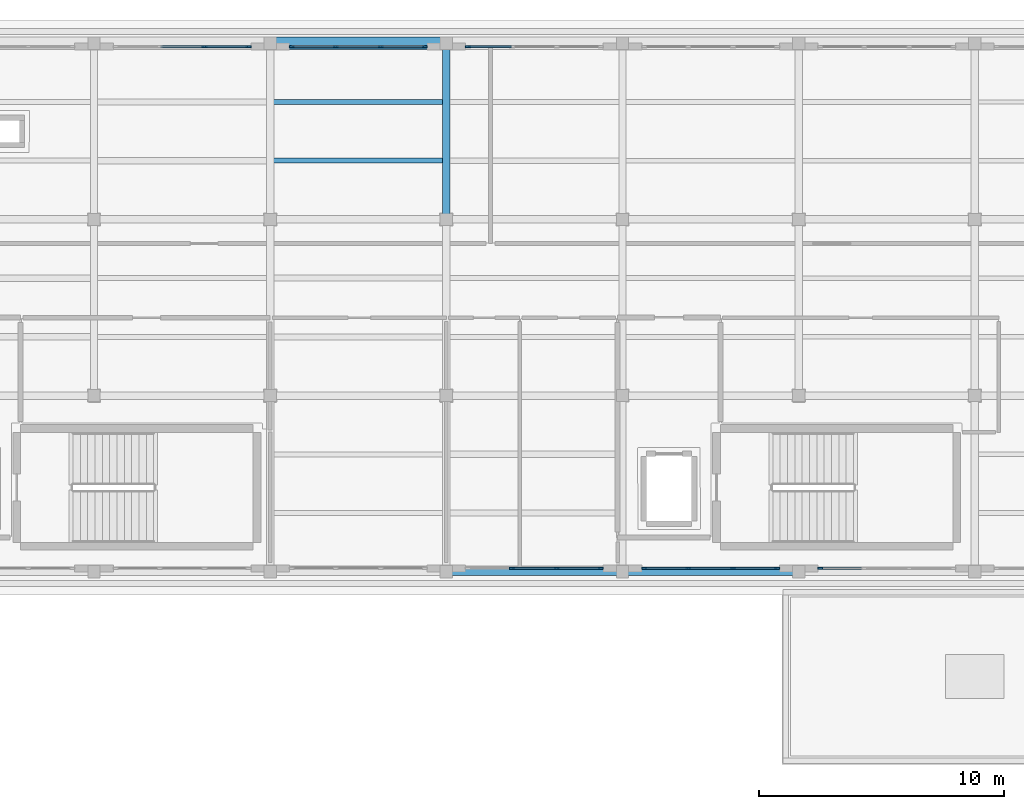
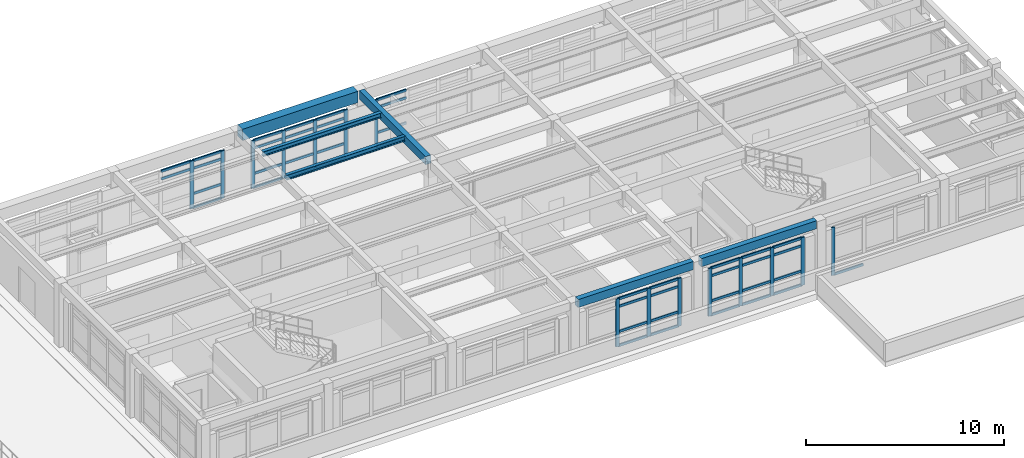
# One storey, part 4 of 15: 58 members, 6 beams, 6 elements without a shape of their own.
"""IFC4 building model written with IfcOpenShell, lengths in metres."""

from ifc_helpers import new_model, si_unit, direction, frame, origin, origin_2d, place, context, subcontext, project, spatial, rectangle, i_section, extrude, material, layer, layer_set, material_profile, profile_set, type_object, element, aggregate, save


model = new_model("IFC4")

# Units and contexts
model_context = context("Model", 3, precision=1e-05, world=origin(), true_north=direction((0.0, 1.0)))
body_context = subcontext(model_context, "Body", "Model", "MODEL_VIEW")
ifc_project = project(units=[si_unit("LENGTHUNIT", "METRE"), si_unit("AREAUNIT", "SQUARE_METRE"), si_unit("VOLUMEUNIT", "CUBIC_METRE"), si_unit("PLANEANGLEUNIT", "RADIAN"), si_unit("MASSUNIT", "GRAM", prefix="KILO")], contexts=[model_context])

# Site, building, storey
site_placement = place(None, origin())
site = spatial("IfcSite", under=ifc_project, at=site_placement, CompositionType="ELEMENT")
building_placement = place(site_placement, origin())
building = spatial("IfcBuilding", under=site, at=building_placement, Name="Solenvale Faculty of Natural Sciences", CompositionType="ELEMENT")
storey_placement = place(building_placement, frame((0.0, 0.0, 48.0)))
storey = spatial("IfcBuildingStorey", under=building, at=storey_placement, Name="L11", CompositionType="ELEMENT", Elevation=48.0)

# Beams
ifc_material_1 = material(Name="Concrete 40 MPa", Category="concrete")
ifc_material_profile_1 = material_profile(ifc_material_1, rectangle(XDim=0.300048828125, YDim=0.5, at=origin_2d()), Name="RC-BM-300x500")
ifc_profile_set_1 = profile_set([ifc_material_profile_1], Name="Concrete 40 MPa")
beam_type_1 = type_object("IfcBeamType", Name="BM-RC-300x500", PredefinedType="BEAM", material=ifc_profile_set_1)
beam_1_placement = place(storey_placement, frame((122.6298828125, 93.60009765625, 3.669921875), z_axis=(1.0, 0.0, 0.0), x_axis=(0.0, 1.0, 0.0)))
element("IfcBeam", 1, at=beam_1_placement, inside=storey, type_object=beam_type_1, Name="L11 X-Girder Y93.6 (122.4..129.6)", PredefinedType="BEAM", context=body_context, shape_type="SweptSolid", body=[
    extrude(rectangle(XDim=0.300048828125, YDim=0.5, at=origin_2d()), origin(), (0.0, 0.0, 1.0), 6.740234375),
])
for number, where, z_axis, x_axis, name in (
    (2, (129.830078125, 93.60009765625, 3.669921875), (1.0, 0.0, 0.0), (0.0, 1.0, 0.0), "L11 X-Girder Y93.6 (129.6..136.8)"),
    (3, (122.39990234375, 108.22998046875, 3.669921875), (0.0, 1.0, 0.0), (-1.0, 0.0, 0.0), "L11 Y-Girder X122.4 (108.0..115.2)"),
):
    element("IfcBeam", number, at=place(storey_placement, frame(where, z_axis=z_axis, x_axis=x_axis)), inside=storey, type_object=beam_type_1, Name=name, PredefinedType="BEAM", context=body_context, shape_type="SweptSolid", body=[
        extrude(rectangle(XDim=0.300048828125, YDim=0.5, at=origin_2d()), origin(), (0.0, 0.0, 1.0), 6.739990234375),
    ])
ifc_material_2 = material(Name="Precast concrete 40 MPa", Category="concrete")
ifc_material_profile_2 = material_profile(ifc_material_2, rectangle(XDim=0.5, YDim=0.699951171875, at=origin_2d()), Name="RC-BM-500x700")
ifc_profile_set_2 = profile_set([ifc_material_profile_2], Name="Precast concrete 40 MPa")
beam_type_2 = type_object("IfcBeamType", Name="BM-SPN-PRC-700", PredefinedType="SPANDREL", material=ifc_profile_set_2)
beam_2_placement = place(storey_placement, frame((115.429931640625, 115.199951171875, 3.570068359375), z_axis=(1.0, 0.0, 0.0), x_axis=(0.0, 1.0, 0.0)))
element("IfcBeam", 4, at=beam_2_placement, inside=storey, type_object=beam_type_2, Name="L11 X-Girder Y115.2 (115.2..122.4)", PredefinedType="SPANDREL", context=body_context, shape_type="SweptSolid", body=[
    extrude(rectangle(XDim=0.5, YDim=0.699951171875, at=origin_2d()), origin(), (0.0, 0.0, 1.0), 6.739990234375),
])
ifc_material_3 = material(Name="Steel S355", Category="steel")
ifc_material_profile_3 = material_profile(ifc_material_3, i_section(OverallWidth=0.202880859375, OverallDepth=0.302978515625, WebThickness=0.007568359375, FlangeThickness=0.01318359375, FilletRadius=0.014892578125, at=origin_2d()), Name="W310x60")
ifc_profile_set_3 = profile_set([ifc_material_profile_3], Name="Steel S355")
beam_type_3 = type_object("IfcBeamType", Name="BM-STL-W310x60", PredefinedType="JOIST", material=ifc_profile_set_3)
for number, where, z_axis, x_axis, name in (
    (5, (115.330078125, 110.39990234375, 3.7685546875), (1.0, 0.0, 0.0), (0.0, 1.0, 0.0), "L11 Composite Floor Joist (17,16).1"),
    (6, (115.330078125, 112.800048828125, 3.7685546875), (1.0, 0.0, 0.0), (0.0, 1.0, 0.0), "L11 Composite Floor Joist (17,16).2"),
):
    element("IfcBeam", number, at=place(storey_placement, frame(where, z_axis=z_axis, x_axis=x_axis)), inside=storey, type_object=beam_type_3, Name=name, PredefinedType="JOIST", context=body_context, shape_type="SweptSolid", body=[
        extrude(i_section(OverallWidth=0.202880859375, OverallDepth=0.302978515625, WebThickness=0.007568359375, FlangeThickness=0.01318359375, FilletRadius=0.014892578125, at=origin_2d()), origin(), (0.0, 0.0, 1.0), 6.93994140625),
    ])

# Curtain wall, member
ifc_material_4 = material(Name="Anodised bronze aluminium", Category="aluminium")
ifc_layer = layer(ifc_material_4, 0.179931640625)
ifc_layer_set = layer_set([ifc_layer], Name="Anodised bronze aluminium")
curtain_wall_type = type_object("IfcCurtainWallType", Name="CW-TWR-MOD", PredefinedType="USERDEFINED", material=ifc_layer_set)
curtain_wall_1_placement = place(storey_placement, origin())
curtain_wall_1 = element("IfcCurtainWall", 7, at=curtain_wall_1_placement, inside=storey, type_object=curtain_wall_type, Name="L11 Curtain Wall CW-L11-P1-E2-B4", ObjectType="UNITISED CURTAIN WALL", PredefinedType="USERDEFINED")
ifc_material_profile_4 = material_profile(ifc_material_4, rectangle(XDim=0.074951171875, YDim=0.2099609375, at=origin_2d()), Name="ALU-MUL-75x210")
ifc_profile_set_4 = profile_set([ifc_material_profile_4], Name="Anodised bronze aluminium")
member_type_1 = type_object("IfcMemberType", Name="CWM-ALU-75x210", PredefinedType="MULLION", material=ifc_profile_set_4)
member_1_placement = place(storey_placement, frame((123.28759765625, 115.0576171875, 0.0), z_axis=(0.0, 0.0, 1.0), x_axis=(0.0, -1.0, 0.0)))
member_1 = element("IfcMember", 8, at=member_1_placement, type_object=member_type_1, Name="CW-04 mullion 4", PredefinedType="MULLION", context=body_context, shape_type="SweptSolid", body=[
    extrude(rectangle(XDim=0.074951171875, YDim=0.2099609375, at=origin_2d()), origin(), (0.0, 0.0, 1.0), 2.9599609375),
])

# Curtain wall, members
curtain_wall_2_placement = place(storey_placement, origin())
curtain_wall_2 = element("IfcCurtainWall", 9, at=curtain_wall_2_placement, inside=storey, type_object=curtain_wall_type, Name="L11 Curtain Wall CW-L11-P1-E2-B5", ObjectType="UNITISED CURTAIN WALL", PredefinedType="USERDEFINED")
member_2_placement = place(storey_placement, frame((121.512451171875, 115.0576171875, 0.0), z_axis=(0.0, 0.0, 1.0), x_axis=(0.0, -1.0, 0.0)))
member_2 = element("IfcMember", 10, at=member_2_placement, type_object=member_type_1, Name="CW-04 mullion 1", PredefinedType="MULLION", context=body_context, shape_type="SweptSolid", body=[
    extrude(rectangle(XDim=0.074951171875, YDim=0.2099609375, at=origin_2d()), origin(), (0.0, 0.0, 1.0), 2.9599609375),
])
member_3_placement = place(storey_placement, frame((119.716552734375, 115.0576171875, 0.0), z_axis=(0.0, 0.0, 1.0), x_axis=(0.0, -1.0, 0.0)))
member_3 = element("IfcMember", 11, at=member_3_placement, type_object=member_type_1, Name="CW-04 mullion 2", PredefinedType="MULLION", context=body_context, shape_type="SweptSolid", body=[
    extrude(rectangle(XDim=0.074951171875, YDim=0.2099609375, at=origin_2d()), origin(), (0.0, 0.0, 1.0), 2.9599609375),
])
member_4_placement = place(storey_placement, frame((117.88330078125, 115.0576171875, 0.0), z_axis=(0.0, 0.0, 1.0), x_axis=(0.0, -1.0, 0.0)))
member_4 = element("IfcMember", 12, at=member_4_placement, type_object=member_type_1, Name="CW-04 mullion 3", PredefinedType="MULLION", context=body_context, shape_type="SweptSolid", body=[
    extrude(rectangle(XDim=0.074951171875, YDim=0.2099609375, at=origin_2d()), origin(), (0.0, 0.0, 1.0), 2.9599609375),
])
member_5_placement = place(storey_placement, frame((116.08740234375, 115.0576171875, 0.0), z_axis=(0.0, 0.0, 1.0), x_axis=(0.0, -1.0, 0.0)))
member_5 = element("IfcMember", 13, at=member_5_placement, type_object=member_type_1, Name="CW-04 mullion 4", PredefinedType="MULLION", context=body_context, shape_type="SweptSolid", body=[
    extrude(rectangle(XDim=0.074951171875, YDim=0.2099609375, at=origin_2d()), origin(), (0.0, 0.0, 1.0), 2.9599609375),
])

curtain_wall_3_placement = place(storey_placement, origin())
curtain_wall_3 = element("IfcCurtainWall", 14, at=curtain_wall_3_placement, inside=storey, type_object=curtain_wall_type, Name="L11 Curtain Wall CW-L11-P1-E2-B6", ObjectType="UNITISED CURTAIN WALL", PredefinedType="USERDEFINED")
member_6_placement = place(storey_placement, frame((114.3125, 115.0576171875, 0.0), z_axis=(0.0, 0.0, 1.0), x_axis=(0.0, -1.0, 0.0)))
member_6 = element("IfcMember", 15, at=member_6_placement, type_object=member_type_1, Name="CW-04 mullion 1", PredefinedType="MULLION", context=body_context, shape_type="SweptSolid", body=[
    extrude(rectangle(XDim=0.074951171875, YDim=0.2099609375, at=origin_2d()), origin(), (0.0, 0.0, 1.0), 2.9599609375),
])
member_7_placement = place(storey_placement, frame((112.5166015625, 115.0576171875, 0.0), z_axis=(0.0, 0.0, 1.0), x_axis=(0.0, -1.0, 0.0)))
member_7 = element("IfcMember", 16, at=member_7_placement, type_object=member_type_1, Name="CW-04 mullion 2", PredefinedType="MULLION", context=body_context, shape_type="SweptSolid", body=[
    extrude(rectangle(XDim=0.074951171875, YDim=0.2099609375, at=origin_2d()), origin(), (0.0, 0.0, 1.0), 2.9599609375),
])

curtain_wall_4_placement = place(storey_placement, origin())
curtain_wall_4 = element("IfcCurtainWall", 17, at=curtain_wall_4_placement, inside=storey, type_object=curtain_wall_type, Name="L11 Curtain Wall CW-L11-P1-E4-B4", ObjectType="UNITISED CURTAIN WALL", PredefinedType="USERDEFINED")
member_8_placement = place(storey_placement, frame((125.083251953125, 93.742431640625, 0.0), z_axis=(0.0, 0.0, 1.0), x_axis=(0.0, 1.0, 0.0)))
member_8 = element("IfcMember", 18, at=member_8_placement, type_object=member_type_1, Name="CW-04 mullion 2", PredefinedType="MULLION", context=body_context, shape_type="SweptSolid", body=[
    extrude(rectangle(XDim=0.074951171875, YDim=0.2099609375, at=origin_2d()), origin(), (0.0, 0.0, 1.0), 2.9599609375),
])
member_9_placement = place(storey_placement, frame((126.916748046875, 93.742431640625, 0.0), z_axis=(0.0, 0.0, 1.0), x_axis=(0.0, 1.0, 0.0)))
member_9 = element("IfcMember", 19, at=member_9_placement, type_object=member_type_1, Name="CW-04 mullion 3", PredefinedType="MULLION", context=body_context, shape_type="SweptSolid", body=[
    extrude(rectangle(XDim=0.074951171875, YDim=0.2099609375, at=origin_2d()), origin(), (0.0, 0.0, 1.0), 2.9599609375),
])
member_10_placement = place(storey_placement, frame((128.71240234375, 93.742431640625, 0.0), z_axis=(0.0, 0.0, 1.0), x_axis=(0.0, 1.0, 0.0)))
member_10 = element("IfcMember", 20, at=member_10_placement, type_object=member_type_1, Name="CW-04 mullion 4", PredefinedType="MULLION", context=body_context, shape_type="SweptSolid", body=[
    extrude(rectangle(XDim=0.074951171875, YDim=0.2099609375, at=origin_2d()), origin(), (0.0, 0.0, 1.0), 2.9599609375),
])

curtain_wall_5_placement = place(storey_placement, origin())
curtain_wall_5 = element("IfcCurtainWall", 21, at=curtain_wall_5_placement, inside=storey, type_object=curtain_wall_type, Name="L11 Curtain Wall CW-L11-P1-E4-B5", ObjectType="UNITISED CURTAIN WALL", PredefinedType="USERDEFINED")
member_11_placement = place(storey_placement, frame((130.487548828125, 93.742431640625, 0.0), z_axis=(0.0, 0.0, 1.0), x_axis=(0.0, 1.0, 0.0)))
member_11 = element("IfcMember", 22, at=member_11_placement, type_object=member_type_1, Name="CW-04 mullion 1", PredefinedType="MULLION", context=body_context, shape_type="SweptSolid", body=[
    extrude(rectangle(XDim=0.074951171875, YDim=0.2099609375, at=origin_2d()), origin(), (0.0, 0.0, 1.0), 2.9599609375),
])
member_12_placement = place(storey_placement, frame((132.283447265625, 93.742431640625, 0.0), z_axis=(0.0, 0.0, 1.0), x_axis=(0.0, 1.0, 0.0)))
member_12 = element("IfcMember", 23, at=member_12_placement, type_object=member_type_1, Name="CW-04 mullion 2", PredefinedType="MULLION", context=body_context, shape_type="SweptSolid", body=[
    extrude(rectangle(XDim=0.074951171875, YDim=0.2099609375, at=origin_2d()), origin(), (0.0, 0.0, 1.0), 2.9599609375),
])
member_13_placement = place(storey_placement, frame((134.11669921875, 93.742431640625, 0.0), z_axis=(0.0, 0.0, 1.0), x_axis=(0.0, 1.0, 0.0)))
member_13 = element("IfcMember", 24, at=member_13_placement, type_object=member_type_1, Name="CW-04 mullion 3", PredefinedType="MULLION", context=body_context, shape_type="SweptSolid", body=[
    extrude(rectangle(XDim=0.074951171875, YDim=0.2099609375, at=origin_2d()), origin(), (0.0, 0.0, 1.0), 2.9599609375),
])
member_14_placement = place(storey_placement, frame((135.91259765625, 93.742431640625, 0.0), z_axis=(0.0, 0.0, 1.0), x_axis=(0.0, 1.0, 0.0)))
member_14 = element("IfcMember", 25, at=member_14_placement, type_object=member_type_1, Name="CW-04 mullion 4", PredefinedType="MULLION", context=body_context, shape_type="SweptSolid", body=[
    extrude(rectangle(XDim=0.074951171875, YDim=0.2099609375, at=origin_2d()), origin(), (0.0, 0.0, 1.0), 2.9599609375),
])

# Curtain wall, member
curtain_wall_6_placement = place(storey_placement, origin())
curtain_wall_6 = element("IfcCurtainWall", 26, at=curtain_wall_6_placement, inside=storey, type_object=curtain_wall_type, Name="L11 Curtain Wall CW-L11-P1-E4-B6", ObjectType="UNITISED CURTAIN WALL", PredefinedType="USERDEFINED")
member_15_placement = place(storey_placement, frame((137.6875, 93.742431640625, 0.0), z_axis=(0.0, 0.0, 1.0), x_axis=(0.0, 1.0, 0.0)))
member_15 = element("IfcMember", 27, at=member_15_placement, type_object=member_type_1, Name="CW-04 mullion 1", PredefinedType="MULLION", context=body_context, shape_type="SweptSolid", body=[
    extrude(rectangle(XDim=0.074951171875, YDim=0.2099609375, at=origin_2d()), origin(), (0.0, 0.0, 1.0), 2.9599609375),
])

# Member
ifc_material_profile_5 = material_profile(ifc_material_4, rectangle(XDim=0.074951171875, YDim=0.155029296875, at=origin_2d()), Name="ALU-TRN-75x155")
ifc_profile_set_5 = profile_set([ifc_material_profile_5], Name="Anodised bronze aluminium")
member_type_2 = type_object("IfcMemberType", Name="CWT-ALU-75x155", PredefinedType="USERDEFINED", material=ifc_profile_set_5)
member_16_placement = place(storey_placement, frame((125.0458984375, 115.0576171875, 0.03759765625), z_axis=(-1.0, 0.0, 0.0), x_axis=(0.0, -1.0, 0.0)))
member_16 = element("IfcMember", 28, at=member_16_placement, type_object=member_type_2, Name="CW-04 transom 3.1", ObjectType="TRANSOM", PredefinedType="USERDEFINED", context=body_context, shape_type="SweptSolid", body=[
    extrude(rectangle(XDim=0.074951171875, YDim=0.155029296875, at=origin_2d()), origin(), (0.0, 0.0, 1.0), 1.720947265625),
])

member_17_placement = place(storey_placement, frame((125.0458984375, 115.0576171875, 0.89990234375), z_axis=(-1.0, 0.0, 0.0), x_axis=(0.0, -1.0, 0.0)))
member_17 = element("IfcMember", 29, at=member_17_placement, type_object=member_type_2, Name="CW-04 transom 3.2", ObjectType="TRANSOM", PredefinedType="USERDEFINED", context=body_context, shape_type="SweptSolid", body=[
    extrude(rectangle(XDim=0.074951171875, YDim=0.155029296875, at=origin_2d()), origin(), (0.0, 0.0, 1.0), 1.720947265625),
])

member_18_placement = place(storey_placement, frame((125.0458984375, 115.0576171875, 2.4599609375), z_axis=(-1.0, 0.0, 0.0), x_axis=(0.0, -1.0, 0.0)))
member_18 = element("IfcMember", 30, at=member_18_placement, type_object=member_type_2, Name="CW-04 transom 3.3", ObjectType="TRANSOM", PredefinedType="USERDEFINED", context=body_context, shape_type="SweptSolid", body=[
    extrude(rectangle(XDim=0.074951171875, YDim=0.155029296875, at=origin_2d()), origin(), (0.0, 0.0, 1.0), 1.720947265625),
])

member_19_placement = place(storey_placement, frame((125.0458984375, 115.0576171875, 2.922607421875), z_axis=(-1.0, 0.0, 0.0), x_axis=(0.0, -1.0, 0.0)))
member_19 = element("IfcMember", 31, at=member_19_placement, type_object=member_type_2, Name="CW-04 transom 3.4", ObjectType="TRANSOM", PredefinedType="USERDEFINED", context=body_context, shape_type="SweptSolid", body=[
    extrude(rectangle(XDim=0.074951171875, YDim=0.155029296875, at=origin_2d()), origin(), (0.0, 0.0, 1.0), 1.720947265625),
])

aggregate(curtain_wall_1, [member_1, member_16, member_17, member_18, member_19])

member_20_placement = place(storey_placement, frame((121.47509765625, 115.0576171875, 0.03759765625), z_axis=(-1.0, 0.0, 0.0), x_axis=(0.0, -1.0, 0.0)))
member_20 = element("IfcMember", 32, at=member_20_placement, type_object=member_type_2, Name="CW-04 transom 1.1", ObjectType="TRANSOM", PredefinedType="USERDEFINED", context=body_context, shape_type="SweptSolid", body=[
    extrude(rectangle(XDim=0.074951171875, YDim=0.155029296875, at=origin_2d()), origin(), (0.0, 0.0, 1.0), 1.720947265625),
])

member_21_placement = place(storey_placement, frame((121.47509765625, 115.0576171875, 0.89990234375), z_axis=(-1.0, 0.0, 0.0), x_axis=(0.0, -1.0, 0.0)))
member_21 = element("IfcMember", 33, at=member_21_placement, type_object=member_type_2, Name="CW-04 transom 1.2", ObjectType="TRANSOM", PredefinedType="USERDEFINED", context=body_context, shape_type="SweptSolid", body=[
    extrude(rectangle(XDim=0.074951171875, YDim=0.155029296875, at=origin_2d()), origin(), (0.0, 0.0, 1.0), 1.720947265625),
])

member_22_placement = place(storey_placement, frame((121.47509765625, 115.0576171875, 2.4599609375), z_axis=(-1.0, 0.0, 0.0), x_axis=(0.0, -1.0, 0.0)))
member_22 = element("IfcMember", 34, at=member_22_placement, type_object=member_type_2, Name="CW-04 transom 1.3", ObjectType="TRANSOM", PredefinedType="USERDEFINED", context=body_context, shape_type="SweptSolid", body=[
    extrude(rectangle(XDim=0.074951171875, YDim=0.155029296875, at=origin_2d()), origin(), (0.0, 0.0, 1.0), 1.720947265625),
])

member_23_placement = place(storey_placement, frame((121.47509765625, 115.0576171875, 2.922607421875), z_axis=(-1.0, 0.0, 0.0), x_axis=(0.0, -1.0, 0.0)))
member_23 = element("IfcMember", 35, at=member_23_placement, type_object=member_type_2, Name="CW-04 transom 1.4", ObjectType="TRANSOM", PredefinedType="USERDEFINED", context=body_context, shape_type="SweptSolid", body=[
    extrude(rectangle(XDim=0.074951171875, YDim=0.155029296875, at=origin_2d()), origin(), (0.0, 0.0, 1.0), 1.720947265625),
])

member_24_placement = place(storey_placement, frame((119.67919921875, 115.0576171875, 0.03759765625), z_axis=(-1.0, 0.0, 0.0), x_axis=(0.0, -1.0, 0.0)))
member_24 = element("IfcMember", 36, at=member_24_placement, type_object=member_type_2, Name="CW-04 transom 2.1", ObjectType="TRANSOM", PredefinedType="USERDEFINED", context=body_context, shape_type="SweptSolid", body=[
    extrude(rectangle(XDim=0.074951171875, YDim=0.155029296875, at=origin_2d()), origin(), (0.0, 0.0, 1.0), 1.75830078125),
])

member_25_placement = place(storey_placement, frame((119.67919921875, 115.0576171875, 0.89990234375), z_axis=(-1.0, 0.0, 0.0), x_axis=(0.0, -1.0, 0.0)))
member_25 = element("IfcMember", 37, at=member_25_placement, type_object=member_type_2, Name="CW-04 transom 2.2", ObjectType="TRANSOM", PredefinedType="USERDEFINED", context=body_context, shape_type="SweptSolid", body=[
    extrude(rectangle(XDim=0.074951171875, YDim=0.155029296875, at=origin_2d()), origin(), (0.0, 0.0, 1.0), 1.75830078125),
])

member_26_placement = place(storey_placement, frame((119.67919921875, 115.0576171875, 2.4599609375), z_axis=(-1.0, 0.0, 0.0), x_axis=(0.0, -1.0, 0.0)))
member_26 = element("IfcMember", 38, at=member_26_placement, type_object=member_type_2, Name="CW-04 transom 2.3", ObjectType="TRANSOM", PredefinedType="USERDEFINED", context=body_context, shape_type="SweptSolid", body=[
    extrude(rectangle(XDim=0.074951171875, YDim=0.155029296875, at=origin_2d()), origin(), (0.0, 0.0, 1.0), 1.75830078125),
])

member_27_placement = place(storey_placement, frame((119.67919921875, 115.0576171875, 2.922607421875), z_axis=(-1.0, 0.0, 0.0), x_axis=(0.0, -1.0, 0.0)))
member_27 = element("IfcMember", 39, at=member_27_placement, type_object=member_type_2, Name="CW-04 transom 2.4", ObjectType="TRANSOM", PredefinedType="USERDEFINED", context=body_context, shape_type="SweptSolid", body=[
    extrude(rectangle(XDim=0.074951171875, YDim=0.155029296875, at=origin_2d()), origin(), (0.0, 0.0, 1.0), 1.75830078125),
])

member_28_placement = place(storey_placement, frame((117.845947265625, 115.0576171875, 0.03759765625), z_axis=(-1.0, 0.0, 0.0), x_axis=(0.0, -1.0, 0.0)))
member_28 = element("IfcMember", 40, at=member_28_placement, type_object=member_type_2, Name="CW-04 transom 3.1", ObjectType="TRANSOM", PredefinedType="USERDEFINED", context=body_context, shape_type="SweptSolid", body=[
    extrude(rectangle(XDim=0.074951171875, YDim=0.155029296875, at=origin_2d()), origin(), (0.0, 0.0, 1.0), 1.720947265625),
])

member_29_placement = place(storey_placement, frame((117.845947265625, 115.0576171875, 0.89990234375), z_axis=(-1.0, 0.0, 0.0), x_axis=(0.0, -1.0, 0.0)))
member_29 = element("IfcMember", 41, at=member_29_placement, type_object=member_type_2, Name="CW-04 transom 3.2", ObjectType="TRANSOM", PredefinedType="USERDEFINED", context=body_context, shape_type="SweptSolid", body=[
    extrude(rectangle(XDim=0.074951171875, YDim=0.155029296875, at=origin_2d()), origin(), (0.0, 0.0, 1.0), 1.720947265625),
])

member_30_placement = place(storey_placement, frame((117.845947265625, 115.0576171875, 2.4599609375), z_axis=(-1.0, 0.0, 0.0), x_axis=(0.0, -1.0, 0.0)))
member_30 = element("IfcMember", 42, at=member_30_placement, type_object=member_type_2, Name="CW-04 transom 3.3", ObjectType="TRANSOM", PredefinedType="USERDEFINED", context=body_context, shape_type="SweptSolid", body=[
    extrude(rectangle(XDim=0.074951171875, YDim=0.155029296875, at=origin_2d()), origin(), (0.0, 0.0, 1.0), 1.720947265625),
])

member_31_placement = place(storey_placement, frame((117.845947265625, 115.0576171875, 2.922607421875), z_axis=(-1.0, 0.0, 0.0), x_axis=(0.0, -1.0, 0.0)))
member_31 = element("IfcMember", 43, at=member_31_placement, type_object=member_type_2, Name="CW-04 transom 3.4", ObjectType="TRANSOM", PredefinedType="USERDEFINED", context=body_context, shape_type="SweptSolid", body=[
    extrude(rectangle(XDim=0.074951171875, YDim=0.155029296875, at=origin_2d()), origin(), (0.0, 0.0, 1.0), 1.720947265625),
])

aggregate(curtain_wall_2, [member_2, member_3, member_4, member_5, member_20, member_21, member_22, member_23, member_24, member_25, member_26, member_27, member_28, member_29, member_30, member_31])

member_32_placement = place(storey_placement, frame((114.27490234375, 115.0576171875, 0.03759765625), z_axis=(-1.0, 0.0, 0.0), x_axis=(0.0, -1.0, 0.0)))
member_32 = element("IfcMember", 44, at=member_32_placement, type_object=member_type_2, Name="CW-04 transom 1.1", ObjectType="TRANSOM", PredefinedType="USERDEFINED", context=body_context, shape_type="SweptSolid", body=[
    extrude(rectangle(XDim=0.074951171875, YDim=0.155029296875, at=origin_2d()), origin(), (0.0, 0.0, 1.0), 1.720703125),
])

member_33_placement = place(storey_placement, frame((114.27490234375, 115.0576171875, 0.89990234375), z_axis=(-1.0, 0.0, 0.0), x_axis=(0.0, -1.0, 0.0)))
member_33 = element("IfcMember", 45, at=member_33_placement, type_object=member_type_2, Name="CW-04 transom 1.2", ObjectType="TRANSOM", PredefinedType="USERDEFINED", context=body_context, shape_type="SweptSolid", body=[
    extrude(rectangle(XDim=0.074951171875, YDim=0.155029296875, at=origin_2d()), origin(), (0.0, 0.0, 1.0), 1.720703125),
])

member_34_placement = place(storey_placement, frame((114.27490234375, 115.0576171875, 2.4599609375), z_axis=(-1.0, 0.0, 0.0), x_axis=(0.0, -1.0, 0.0)))
member_34 = element("IfcMember", 46, at=member_34_placement, type_object=member_type_2, Name="CW-04 transom 1.3", ObjectType="TRANSOM", PredefinedType="USERDEFINED", context=body_context, shape_type="SweptSolid", body=[
    extrude(rectangle(XDim=0.074951171875, YDim=0.155029296875, at=origin_2d()), origin(), (0.0, 0.0, 1.0), 1.720703125),
])

member_35_placement = place(storey_placement, frame((114.27490234375, 115.0576171875, 2.922607421875), z_axis=(-1.0, 0.0, 0.0), x_axis=(0.0, -1.0, 0.0)))
member_35 = element("IfcMember", 47, at=member_35_placement, type_object=member_type_2, Name="CW-04 transom 1.4", ObjectType="TRANSOM", PredefinedType="USERDEFINED", context=body_context, shape_type="SweptSolid", body=[
    extrude(rectangle(XDim=0.074951171875, YDim=0.155029296875, at=origin_2d()), origin(), (0.0, 0.0, 1.0), 1.720703125),
])

member_36_placement = place(storey_placement, frame((112.479248046875, 115.0576171875, 2.4599609375), z_axis=(-1.0, 0.0, 0.0), x_axis=(0.0, -1.0, 0.0)))
member_36 = element("IfcMember", 48, at=member_36_placement, type_object=member_type_2, Name="CW-04 transom 2.3", ObjectType="TRANSOM", PredefinedType="USERDEFINED", context=body_context, shape_type="SweptSolid", body=[
    extrude(rectangle(XDim=0.074951171875, YDim=0.155029296875, at=origin_2d()), origin(), (0.0, 0.0, 1.0), 1.75830078125),
])

member_37_placement = place(storey_placement, frame((112.479248046875, 115.0576171875, 2.922607421875), z_axis=(-1.0, 0.0, 0.0), x_axis=(0.0, -1.0, 0.0)))
member_37 = element("IfcMember", 49, at=member_37_placement, type_object=member_type_2, Name="CW-04 transom 2.4", ObjectType="TRANSOM", PredefinedType="USERDEFINED", context=body_context, shape_type="SweptSolid", body=[
    extrude(rectangle(XDim=0.074951171875, YDim=0.155029296875, at=origin_2d()), origin(), (0.0, 0.0, 1.0), 1.75830078125),
])

aggregate(curtain_wall_3, [member_6, member_7, member_32, member_33, member_34, member_35, member_36, member_37])

member_38_placement = place(storey_placement, frame((125.120849609375, 93.742431640625, 0.03759765625), z_axis=(1.0, 0.0, 0.0), x_axis=(0.0, 1.0, 0.0)))
member_38 = element("IfcMember", 50, at=member_38_placement, type_object=member_type_2, Name="CW-04 transom 2.1", ObjectType="TRANSOM", PredefinedType="USERDEFINED", context=body_context, shape_type="SweptSolid", body=[
    extrude(rectangle(XDim=0.074951171875, YDim=0.155029296875, at=origin_2d()), origin(), (0.0, 0.0, 1.0), 1.75830078125),
])

member_39_placement = place(storey_placement, frame((125.120849609375, 93.742431640625, 0.89990234375), z_axis=(1.0, 0.0, 0.0), x_axis=(0.0, 1.0, 0.0)))
member_39 = element("IfcMember", 51, at=member_39_placement, type_object=member_type_2, Name="CW-04 transom 2.2", ObjectType="TRANSOM", PredefinedType="USERDEFINED", context=body_context, shape_type="SweptSolid", body=[
    extrude(rectangle(XDim=0.074951171875, YDim=0.155029296875, at=origin_2d()), origin(), (0.0, 0.0, 1.0), 1.75830078125),
])

member_40_placement = place(storey_placement, frame((125.120849609375, 93.742431640625, 2.4599609375), z_axis=(1.0, 0.0, 0.0), x_axis=(0.0, 1.0, 0.0)))
member_40 = element("IfcMember", 52, at=member_40_placement, type_object=member_type_2, Name="CW-04 transom 2.3", ObjectType="TRANSOM", PredefinedType="USERDEFINED", context=body_context, shape_type="SweptSolid", body=[
    extrude(rectangle(XDim=0.074951171875, YDim=0.155029296875, at=origin_2d()), origin(), (0.0, 0.0, 1.0), 1.75830078125),
])

member_41_placement = place(storey_placement, frame((125.120849609375, 93.742431640625, 2.922607421875), z_axis=(1.0, 0.0, 0.0), x_axis=(0.0, 1.0, 0.0)))
member_41 = element("IfcMember", 53, at=member_41_placement, type_object=member_type_2, Name="CW-04 transom 2.4", ObjectType="TRANSOM", PredefinedType="USERDEFINED", context=body_context, shape_type="SweptSolid", body=[
    extrude(rectangle(XDim=0.074951171875, YDim=0.155029296875, at=origin_2d()), origin(), (0.0, 0.0, 1.0), 1.75830078125),
])

member_42_placement = place(storey_placement, frame((126.9541015625, 93.742431640625, 0.03759765625), z_axis=(1.0, 0.0, 0.0), x_axis=(0.0, 1.0, 0.0)))
member_42 = element("IfcMember", 54, at=member_42_placement, type_object=member_type_2, Name="CW-04 transom 3.1", ObjectType="TRANSOM", PredefinedType="USERDEFINED", context=body_context, shape_type="SweptSolid", body=[
    extrude(rectangle(XDim=0.074951171875, YDim=0.155029296875, at=origin_2d()), origin(), (0.0, 0.0, 1.0), 1.720947265625),
])

member_43_placement = place(storey_placement, frame((126.9541015625, 93.742431640625, 0.89990234375), z_axis=(1.0, 0.0, 0.0), x_axis=(0.0, 1.0, 0.0)))
member_43 = element("IfcMember", 55, at=member_43_placement, type_object=member_type_2, Name="CW-04 transom 3.2", ObjectType="TRANSOM", PredefinedType="USERDEFINED", context=body_context, shape_type="SweptSolid", body=[
    extrude(rectangle(XDim=0.074951171875, YDim=0.155029296875, at=origin_2d()), origin(), (0.0, 0.0, 1.0), 1.720947265625),
])

member_44_placement = place(storey_placement, frame((126.9541015625, 93.742431640625, 2.4599609375), z_axis=(1.0, 0.0, 0.0), x_axis=(0.0, 1.0, 0.0)))
member_44 = element("IfcMember", 56, at=member_44_placement, type_object=member_type_2, Name="CW-04 transom 3.3", ObjectType="TRANSOM", PredefinedType="USERDEFINED", context=body_context, shape_type="SweptSolid", body=[
    extrude(rectangle(XDim=0.074951171875, YDim=0.155029296875, at=origin_2d()), origin(), (0.0, 0.0, 1.0), 1.720947265625),
])

member_45_placement = place(storey_placement, frame((126.9541015625, 93.742431640625, 2.922607421875), z_axis=(1.0, 0.0, 0.0), x_axis=(0.0, 1.0, 0.0)))
member_45 = element("IfcMember", 57, at=member_45_placement, type_object=member_type_2, Name="CW-04 transom 3.4", ObjectType="TRANSOM", PredefinedType="USERDEFINED", context=body_context, shape_type="SweptSolid", body=[
    extrude(rectangle(XDim=0.074951171875, YDim=0.155029296875, at=origin_2d()), origin(), (0.0, 0.0, 1.0), 1.720947265625),
])

aggregate(curtain_wall_4, [member_8, member_9, member_10, member_38, member_39, member_40, member_41, member_42, member_43, member_44, member_45])

member_46_placement = place(storey_placement, frame((130.52490234375, 93.742431640625, 0.03759765625), z_axis=(1.0, 0.0, 0.0), x_axis=(0.0, 1.0, 0.0)))
member_46 = element("IfcMember", 58, at=member_46_placement, type_object=member_type_2, Name="CW-04 transom 1.1", ObjectType="TRANSOM", PredefinedType="USERDEFINED", context=body_context, shape_type="SweptSolid", body=[
    extrude(rectangle(XDim=0.074951171875, YDim=0.155029296875, at=origin_2d()), origin(), (0.0, 0.0, 1.0), 1.720947265625),
])

member_47_placement = place(storey_placement, frame((130.52490234375, 93.742431640625, 0.89990234375), z_axis=(1.0, 0.0, 0.0), x_axis=(0.0, 1.0, 0.0)))
member_47 = element("IfcMember", 59, at=member_47_placement, type_object=member_type_2, Name="CW-04 transom 1.2", ObjectType="TRANSOM", PredefinedType="USERDEFINED", context=body_context, shape_type="SweptSolid", body=[
    extrude(rectangle(XDim=0.074951171875, YDim=0.155029296875, at=origin_2d()), origin(), (0.0, 0.0, 1.0), 1.720947265625),
])

member_48_placement = place(storey_placement, frame((130.52490234375, 93.742431640625, 2.4599609375), z_axis=(1.0, 0.0, 0.0), x_axis=(0.0, 1.0, 0.0)))
member_48 = element("IfcMember", 60, at=member_48_placement, type_object=member_type_2, Name="CW-04 transom 1.3", ObjectType="TRANSOM", PredefinedType="USERDEFINED", context=body_context, shape_type="SweptSolid", body=[
    extrude(rectangle(XDim=0.074951171875, YDim=0.155029296875, at=origin_2d()), origin(), (0.0, 0.0, 1.0), 1.720947265625),
])

member_49_placement = place(storey_placement, frame((130.52490234375, 93.742431640625, 2.922607421875), z_axis=(1.0, 0.0, 0.0), x_axis=(0.0, 1.0, 0.0)))
member_49 = element("IfcMember", 61, at=member_49_placement, type_object=member_type_2, Name="CW-04 transom 1.4", ObjectType="TRANSOM", PredefinedType="USERDEFINED", context=body_context, shape_type="SweptSolid", body=[
    extrude(rectangle(XDim=0.074951171875, YDim=0.155029296875, at=origin_2d()), origin(), (0.0, 0.0, 1.0), 1.720947265625),
])

member_50_placement = place(storey_placement, frame((132.32080078125, 93.742431640625, 0.03759765625), z_axis=(1.0, 0.0, 0.0), x_axis=(0.0, 1.0, 0.0)))
member_50 = element("IfcMember", 62, at=member_50_placement, type_object=member_type_2, Name="CW-04 transom 2.1", ObjectType="TRANSOM", PredefinedType="USERDEFINED", context=body_context, shape_type="SweptSolid", body=[
    extrude(rectangle(XDim=0.074951171875, YDim=0.155029296875, at=origin_2d()), origin(), (0.0, 0.0, 1.0), 1.75830078125),
])

member_51_placement = place(storey_placement, frame((132.32080078125, 93.742431640625, 0.89990234375), z_axis=(1.0, 0.0, 0.0), x_axis=(0.0, 1.0, 0.0)))
member_51 = element("IfcMember", 63, at=member_51_placement, type_object=member_type_2, Name="CW-04 transom 2.2", ObjectType="TRANSOM", PredefinedType="USERDEFINED", context=body_context, shape_type="SweptSolid", body=[
    extrude(rectangle(XDim=0.074951171875, YDim=0.155029296875, at=origin_2d()), origin(), (0.0, 0.0, 1.0), 1.75830078125),
])

member_52_placement = place(storey_placement, frame((132.32080078125, 93.742431640625, 2.4599609375), z_axis=(1.0, 0.0, 0.0), x_axis=(0.0, 1.0, 0.0)))
member_52 = element("IfcMember", 64, at=member_52_placement, type_object=member_type_2, Name="CW-04 transom 2.3", ObjectType="TRANSOM", PredefinedType="USERDEFINED", context=body_context, shape_type="SweptSolid", body=[
    extrude(rectangle(XDim=0.074951171875, YDim=0.155029296875, at=origin_2d()), origin(), (0.0, 0.0, 1.0), 1.75830078125),
])

member_53_placement = place(storey_placement, frame((132.32080078125, 93.742431640625, 2.922607421875), z_axis=(1.0, 0.0, 0.0), x_axis=(0.0, 1.0, 0.0)))
member_53 = element("IfcMember", 65, at=member_53_placement, type_object=member_type_2, Name="CW-04 transom 2.4", ObjectType="TRANSOM", PredefinedType="USERDEFINED", context=body_context, shape_type="SweptSolid", body=[
    extrude(rectangle(XDim=0.074951171875, YDim=0.155029296875, at=origin_2d()), origin(), (0.0, 0.0, 1.0), 1.75830078125),
])

member_54_placement = place(storey_placement, frame((134.154052734375, 93.742431640625, 0.03759765625), z_axis=(1.0, 0.0, 0.0), x_axis=(0.0, 1.0, 0.0)))
member_54 = element("IfcMember", 66, at=member_54_placement, type_object=member_type_2, Name="CW-04 transom 3.1", ObjectType="TRANSOM", PredefinedType="USERDEFINED", context=body_context, shape_type="SweptSolid", body=[
    extrude(rectangle(XDim=0.074951171875, YDim=0.155029296875, at=origin_2d()), origin(), (0.0, 0.0, 1.0), 1.720947265625),
])

member_55_placement = place(storey_placement, frame((134.154052734375, 93.742431640625, 0.89990234375), z_axis=(1.0, 0.0, 0.0), x_axis=(0.0, 1.0, 0.0)))
member_55 = element("IfcMember", 67, at=member_55_placement, type_object=member_type_2, Name="CW-04 transom 3.2", ObjectType="TRANSOM", PredefinedType="USERDEFINED", context=body_context, shape_type="SweptSolid", body=[
    extrude(rectangle(XDim=0.074951171875, YDim=0.155029296875, at=origin_2d()), origin(), (0.0, 0.0, 1.0), 1.720947265625),
])

member_56_placement = place(storey_placement, frame((134.154052734375, 93.742431640625, 2.4599609375), z_axis=(1.0, 0.0, 0.0), x_axis=(0.0, 1.0, 0.0)))
member_56 = element("IfcMember", 68, at=member_56_placement, type_object=member_type_2, Name="CW-04 transom 3.3", ObjectType="TRANSOM", PredefinedType="USERDEFINED", context=body_context, shape_type="SweptSolid", body=[
    extrude(rectangle(XDim=0.074951171875, YDim=0.155029296875, at=origin_2d()), origin(), (0.0, 0.0, 1.0), 1.720947265625),
])

member_57_placement = place(storey_placement, frame((134.154052734375, 93.742431640625, 2.922607421875), z_axis=(1.0, 0.0, 0.0), x_axis=(0.0, 1.0, 0.0)))
member_57 = element("IfcMember", 69, at=member_57_placement, type_object=member_type_2, Name="CW-04 transom 3.4", ObjectType="TRANSOM", PredefinedType="USERDEFINED", context=body_context, shape_type="SweptSolid", body=[
    extrude(rectangle(XDim=0.074951171875, YDim=0.155029296875, at=origin_2d()), origin(), (0.0, 0.0, 1.0), 1.720947265625),
])

aggregate(curtain_wall_5, [member_11, member_12, member_13, member_14, member_46, member_47, member_48, member_49, member_50, member_51, member_52, member_53, member_54, member_55, member_56, member_57])

member_58_placement = place(storey_placement, frame((137.72509765625, 93.742431640625, 0.03759765625), z_axis=(1.0, 0.0, 0.0), x_axis=(0.0, 1.0, 0.0)))
member_58 = element("IfcMember", 70, at=member_58_placement, type_object=member_type_2, Name="CW-04 transom 1.1", ObjectType="TRANSOM", PredefinedType="USERDEFINED", context=body_context, shape_type="SweptSolid", body=[
    extrude(rectangle(XDim=0.074951171875, YDim=0.155029296875, at=origin_2d()), origin(), (0.0, 0.0, 1.0), 1.720703125),
])

aggregate(curtain_wall_6, [member_15, member_58])

save(model, "model.ifc")
